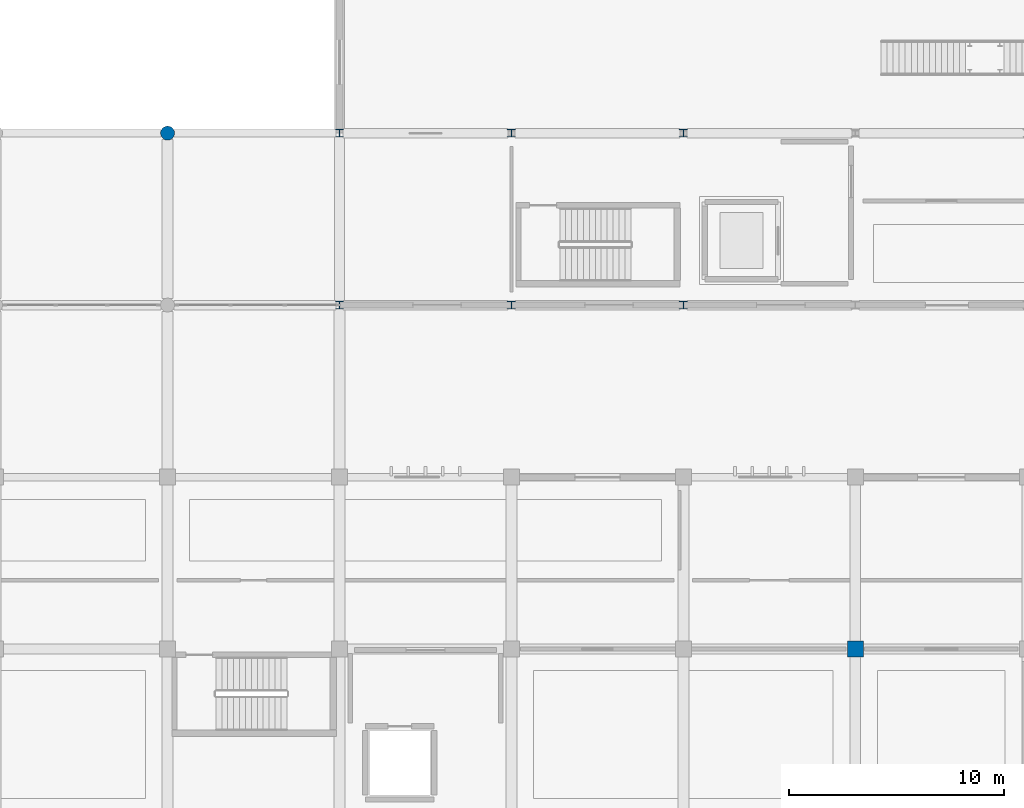
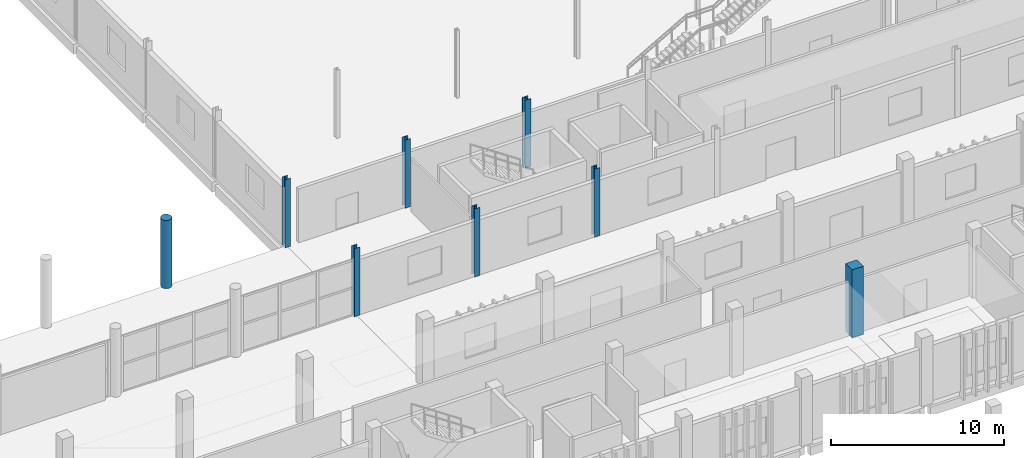
# One storey, part 7 of 117: 8 columns.
"""IFC4 building model written with IfcOpenShell, lengths in metres."""

from ifc_helpers import new_model, si_unit, direction, frame, origin, origin_2d, place, context, subcontext, project, spatial, rectangle, circle, i_section, extrude, material, material_profile, profile_set, type_object, element, save


model = new_model("IFC4")

# Units and contexts
model_context = context("Model", 3, precision=1e-05, world=origin(), true_north=direction((0.0, 1.0)))
body_context = subcontext(model_context, "Body", "Model", "MODEL_VIEW")
ifc_project = project(units=[si_unit("LENGTHUNIT", "METRE"), si_unit("AREAUNIT", "SQUARE_METRE"), si_unit("VOLUMEUNIT", "CUBIC_METRE"), si_unit("PLANEANGLEUNIT", "RADIAN"), si_unit("MASSUNIT", "GRAM", prefix="KILO")], contexts=[model_context])

# Site, building, storey
site_placement = place(None, origin())
site = spatial("IfcSite", under=ifc_project, at=site_placement, CompositionType="ELEMENT")
building_placement = place(site_placement, origin())
building = spatial("IfcBuilding", under=site, at=building_placement, Name="Jelvoka-Kovrelna Polytechnic", CompositionType="ELEMENT")
storey_placement = place(building_placement, origin())
storey = spatial("IfcBuildingStorey", under=building, at=storey_placement, Name="L01", CompositionType="ELEMENT", Elevation=0.0)

# Columns
ifc_material_1 = material(Name="Concrete C40/50", Category="concrete")
ifc_material_profile_1 = material_profile(ifc_material_1, circle(Radius=0.324951171875, at=origin_2d()), Name="RC D650")
ifc_profile_set_1 = profile_set([ifc_material_profile_1], Name="Concrete C40/50")
column_type_1 = type_object("IfcColumnType", Name="Col_Pilotis_D650", PredefinedType="PILASTER", material=ifc_profile_set_1)
column_1_placement = place(storey_placement, frame((80.0, 88.0, 0.0), z_axis=(0.0, 0.0, 1.0), x_axis=(1.0, 0.0, 0.0)))
element("IfcColumn", 1, at=column_1_placement, inside=storey, type_object=column_type_1, Name="L01 column 1530", PredefinedType="PILASTER", context=body_context, shape_type="SweptSolid", body=[
    extrude(circle(Radius=0.324951171875, at=origin_2d()), origin(), (0.0, 0.0, 1.0), 4.800048828125),
])
ifc_material_2 = material(Name="Concrete C40/50", Category="concrete")
ifc_material_profile_2 = material_profile(ifc_material_2, rectangle(XDim=0.75, YDim=0.75, at=origin_2d()), Name="RC 750x750")
ifc_profile_set_2 = profile_set([ifc_material_profile_2], Name="Concrete C40/50")
column_type_2 = type_object("IfcColumnType", Name="Col_RC_750", PredefinedType="COLUMN", material=ifc_profile_set_2)
column_2_placement = place(storey_placement, frame((112.0, 64.0, 0.0), z_axis=(0.0, 0.0, 1.0), x_axis=(1.0, 0.0, 0.0)))
element("IfcColumn", 2, at=column_2_placement, inside=storey, type_object=column_type_2, Name="L01 column 1205", PredefinedType="COLUMN", context=body_context, shape_type="SweptSolid", body=[
    extrude(rectangle(XDim=0.75, YDim=0.75, at=origin_2d()), origin(), (0.0, 0.0, 1.0), 4.800048828125),
])
ifc_material_3 = material(Name="Structural steel S355JR", Category="steel")
ifc_material_profile_3 = material_profile(ifc_material_3, i_section(OverallWidth=0.36865234375, OverallDepth=0.355712890625, WebThickness=0.010498046875, FlangeThickness=0.017578125, FilletRadius=0.01513671875, at=origin_2d()), Name="356x368x129 UC")
ifc_profile_set_3 = profile_set([ifc_material_profile_3], Name="Structural steel S355JR")
column_type_3 = type_object("IfcColumnType", Name="Col_Steel_UC356", PredefinedType="COLUMN", material=ifc_profile_set_3)
for number, where, z_axis, x_axis, name in (
    (3, (88.0, 80.0, 0.0), (0.0, 0.0, 1.0), (1.0, 0.0, 0.0), "L01 column 1477"),
    (4, (96.0, 80.0, 0.0), (0.0, 0.0, 1.0), (1.0, 0.0, 0.0), "L01 column 1480"),
    (5, (104.0, 80.0, 0.0), (0.0, 0.0, 1.0), (1.0, 0.0, 0.0), "L01 column 1483"),
    (6, (88.0, 88.0, 0.0), (0.0, 0.0, 1.0), (1.0, 0.0, 0.0), "L01 column 1532"),
    (7, (96.0, 88.0, 0.0), (0.0, 0.0, 1.0), (1.0, 0.0, 0.0), "L01 column 1535"),
    (8, (104.0, 88.0, 0.0), (0.0, 0.0, 1.0), (1.0, 0.0, 0.0), "L01 column 1538"),
):
    element("IfcColumn", number, at=place(storey_placement, frame(where, z_axis=z_axis, x_axis=x_axis)), inside=storey, type_object=column_type_3, Name=name, PredefinedType="COLUMN", context=body_context, shape_type="SweptSolid", body=[
        extrude(i_section(OverallWidth=0.36865234375, OverallDepth=0.355712890625, WebThickness=0.010498046875, FlangeThickness=0.017578125, FilletRadius=0.01513671875, at=origin_2d()), origin(), (0.0, 0.0, 1.0), 4.800048828125),
    ])

save(model, "model.ifc")
